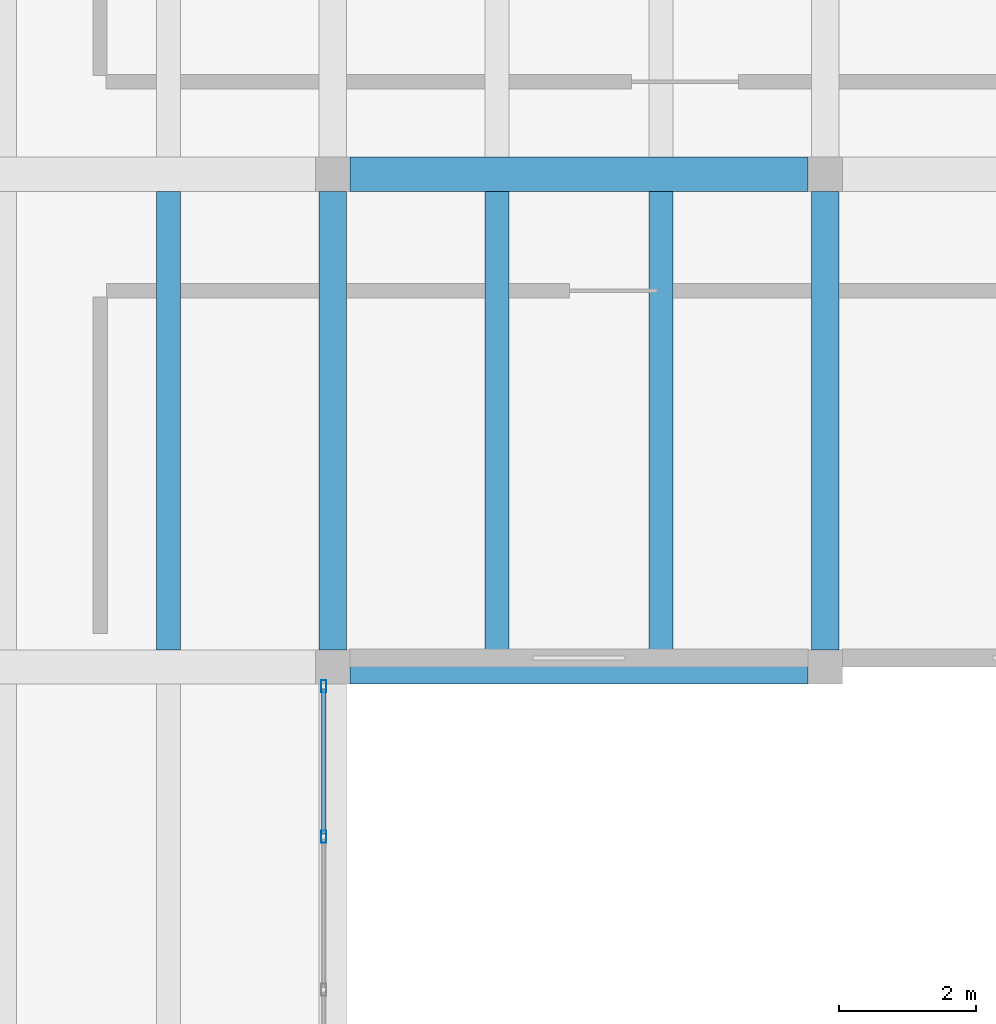
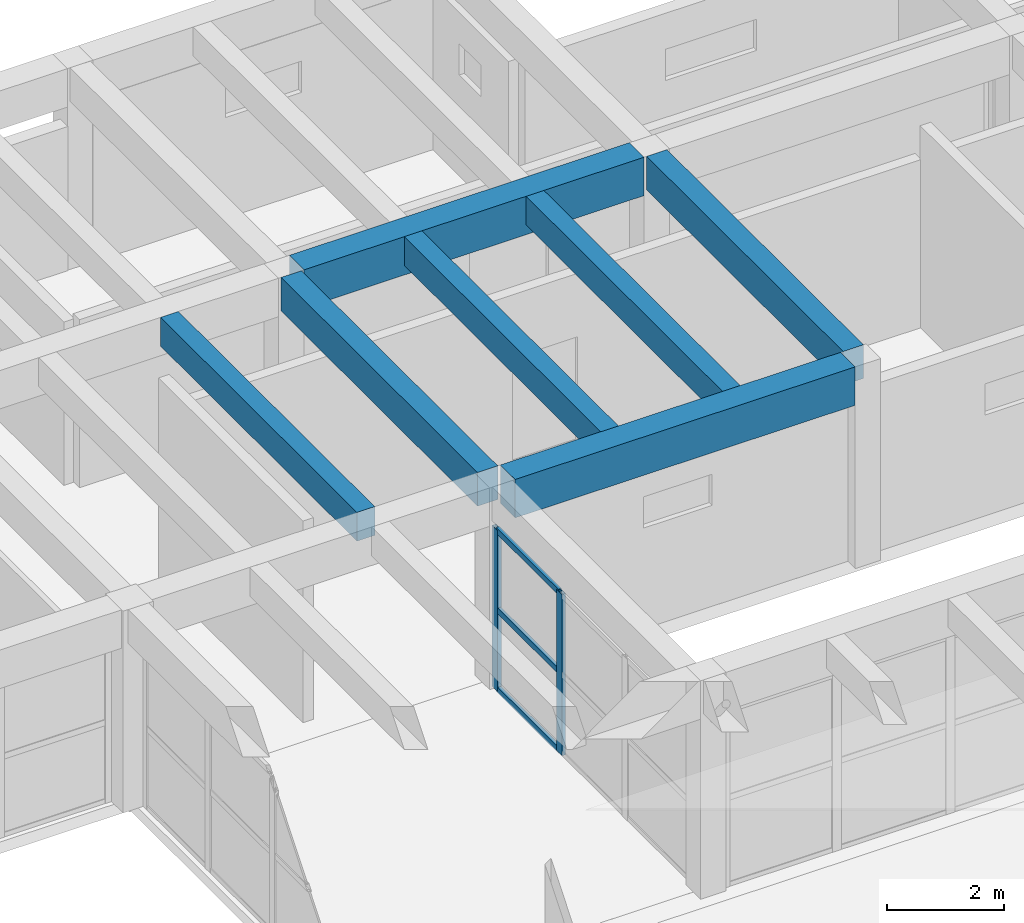
# One storey, part 76 of 153: 7 beams, 5 members, 1 element without a shape of its own.
"""IFC4 building model written with IfcOpenShell, lengths in metres."""

from ifc_helpers import new_model, si_unit, direction, frame, origin, origin_2d, place, context, subcontext, project, spatial, rectangle, hollow_rectangle, extrude, material, material_profile, profile_set, type_object, element, aggregate, save


model = new_model("IFC4")

# Units and contexts
model_context = context("Model", 3, precision=1e-05, world=origin(), true_north=direction((0.0, 1.0)))
body_context = subcontext(model_context, "Body", "Model", "MODEL_VIEW")
ifc_project = project(units=[si_unit("LENGTHUNIT", "METRE"), si_unit("AREAUNIT", "SQUARE_METRE"), si_unit("VOLUMEUNIT", "CUBIC_METRE"), si_unit("PLANEANGLEUNIT", "RADIAN"), si_unit("MASSUNIT", "GRAM", prefix="KILO")], contexts=[model_context])

# Site, building, storey
site_placement = place(None, origin())
site = spatial("IfcSite", under=ifc_project, at=site_placement, CompositionType="ELEMENT")
building_placement = place(site_placement, origin())
building = spatial("IfcBuilding", under=site, at=building_placement, Name="Bramvelor Terrace Health Centre", CompositionType="ELEMENT")
storey_placement = place(building_placement, frame((0.0, 0.0, 4.800048828125)))
storey = spatial("IfcBuildingStorey", under=building, at=storey_placement, Name="L02", CompositionType="ELEMENT", Elevation=4.800048828125)

# Beams
ifc_material_1 = material(Name="Concrete C40/50", Category="concrete")
ifc_material_profile_1 = material_profile(ifc_material_1, rectangle(XDim=0.39990234375, YDim=0.699951171875, at=origin_2d()), Name="RC 400x700")
ifc_profile_set_1 = profile_set([ifc_material_profile_1], Name="Concrete C40/50")
beam_type_1 = type_object("IfcBeamType", Name="BM-RC-G700", PredefinedType="BEAM", material=ifc_profile_set_1)
for number, where, z_axis, x_axis, name in (
    (1, (50.39990234375, 86.64990234375, 3.849853515625), (0.0, 1.0, 0.0), (-1.0, 0.0, 0.0), "L02 Floor Girder"),
    (2, (57.60009765625, 86.64990234375, 3.849853515625), (0.0, 1.0, 0.0), (-1.0, 0.0, 0.0), "L02 Floor Girder"),
):
    element("IfcBeam", number, at=place(storey_placement, frame(where, z_axis=z_axis, x_axis=x_axis)), inside=storey, type_object=beam_type_1, Name=name, PredefinedType="BEAM", context=body_context, shape_type="SweptSolid", body=[
        extrude(rectangle(XDim=0.39990234375, YDim=0.699951171875, at=origin_2d()), origin(), (0.0, 0.0, 1.0), 6.7001953125),
    ])
ifc_material_2 = material(Name="Concrete C40/50", Category="concrete")
ifc_material_profile_2 = material_profile(ifc_material_2, rectangle(XDim=0.5, YDim=0.800048828125, at=origin_2d()), Name="RC 500x800")
ifc_profile_set_2 = profile_set([ifc_material_profile_2], Name="Concrete C40/50")
beam_type_2 = type_object("IfcBeamType", Name="BM-RC-G800", PredefinedType="BEAM", material=ifc_profile_set_2)
for number, where, z_axis, x_axis, name in (
    (3, (50.64990234375, 86.39990234375, 3.800048828125), (1.0, 0.0, 0.0), (0.0, 1.0, 0.0), "L02 Floor Girder"),
    (4, (50.64990234375, 93.60009765625, 3.800048828125), (1.0, 0.0, 0.0), (0.0, 1.0, 0.0), "L02 Floor Girder"),
):
    element("IfcBeam", number, at=place(storey_placement, frame(where, z_axis=z_axis, x_axis=x_axis)), inside=storey, type_object=beam_type_2, Name=name, PredefinedType="BEAM", context=body_context, shape_type="SweptSolid", body=[
        extrude(rectangle(XDim=0.5, YDim=0.800048828125, at=origin_2d()), origin(), (0.0, 0.0, 1.0), 6.7001953125),
    ])
ifc_material_3 = material(Name="Concrete C40/50", Category="concrete")
ifc_material_profile_3 = material_profile(ifc_material_3, rectangle(XDim=0.35009765625, YDim=0.60009765625, at=origin_2d()), Name="RC 350x600")
ifc_profile_set_3 = profile_set([ifc_material_profile_3], Name="Concrete C40/50")
beam_type_3 = type_object("IfcBeamType", Name="BM-RC-J600", PredefinedType="JOIST", material=ifc_profile_set_3)
for number, where, z_axis, x_axis, name in (
    (5, (48.0, 86.64990234375, 3.89990234375), (0.0, 1.0, 0.0), (-1.0, 0.0, 0.0), "L02 Secondary Floor Joist"),
    (6, (52.800048828125, 86.64990234375, 3.89990234375), (0.0, 1.0, 0.0), (-1.0, 0.0, 0.0), "L02 Secondary Floor Joist"),
    (7, (55.199951171875, 86.64990234375, 3.89990234375), (0.0, 1.0, 0.0), (-1.0, 0.0, 0.0), "L02 Secondary Floor Joist"),
):
    element("IfcBeam", number, at=place(storey_placement, frame(where, z_axis=z_axis, x_axis=x_axis)), inside=storey, type_object=beam_type_3, Name=name, PredefinedType="JOIST", context=body_context, shape_type="SweptSolid", body=[
        extrude(rectangle(XDim=0.35009765625, YDim=0.60009765625, at=origin_2d()), origin(), (0.0, 0.0, 1.0), 6.7001953125),
    ])

# Curtain wall, members
ifc_material_4 = material(Name="Anodized aluminium and double low-E glass", Category="aluminium")
curtain_wall_type = type_object("IfcCurtainWallType", Name="CW-SYS-16", PredefinedType="NOTDEFINED", material=ifc_material_4)
curtain_wall_placement = place(storey_placement, origin())
curtain_wall = element("IfcCurtainWall", 8, at=curtain_wall_placement, inside=storey, type_object=curtain_wall_type, Name="L02 Unitized Curtain Wall 90", PredefinedType="NOTDEFINED")
ifc_material_5 = material(Name="Anodized aluminium 6063-T6", Category="aluminium")
ifc_material_profile_4 = material_profile(ifc_material_5, hollow_rectangle(XDim=0.074951171875, YDim=0.179931640625, WallThickness=0.00341796875, at=origin_2d()), Name="ALU-MUL 75x180x3.5")
ifc_profile_set_4 = profile_set([ifc_material_profile_4], Name="Anodized aluminium 6063-T6")
member_type_1 = type_object("IfcMemberType", Name="CW-MUL-65x180", PredefinedType="MULLION", material=ifc_profile_set_4)
member_1_placement = place(storey_placement, frame((50.27001953125, 86.117431640625, 0.0), z_axis=(0.0, 0.0, 1.0), x_axis=(1.0, 0.0, 0.0)))
member_1 = element("IfcMember", 9, at=member_1_placement, type_object=member_type_1, Name="CW-16 mullion 1", PredefinedType="MULLION", context=body_context, shape_type="SweptSolid", body=[
    extrude(hollow_rectangle(XDim=0.074951171875, YDim=0.179931640625, WallThickness=0.00341796875, at=origin_2d()), origin(), (0.0, 0.0, 1.0), 3.35986328125),
])
member_2_placement = place(storey_placement, frame((50.27001953125, 83.918212890625, 0.0), z_axis=(0.0, 0.0, 1.0), x_axis=(1.0, 0.0, 0.0)))
member_2 = element("IfcMember", 10, at=member_2_placement, type_object=member_type_1, Name="CW-16 mullion 2", PredefinedType="MULLION", context=body_context, shape_type="SweptSolid", body=[
    extrude(hollow_rectangle(XDim=0.074951171875, YDim=0.179931640625, WallThickness=0.00341796875, at=origin_2d()), origin(), (0.0, 0.0, 1.0), 3.35986328125),
])
ifc_material_6 = material(Name="Anodized aluminium 6063-T6", Category="aluminium")
ifc_material_profile_5 = material_profile(ifc_material_6, hollow_rectangle(XDim=0.06494140625, YDim=0.1201171875, WallThickness=0.0029296875, at=origin_2d()), Name="ALU-TRN 65x120x3.0")
ifc_profile_set_5 = profile_set([ifc_material_profile_5], Name="Anodized aluminium 6063-T6")
member_type_2 = type_object("IfcMemberType", Name="CW-TRN-65x150", PredefinedType="USERDEFINED", material=ifc_profile_set_5)
member_3_placement = place(storey_placement, frame((50.27001953125, 86.080078125, 0.032470703125), z_axis=(0.0, -1.0, 0.0), x_axis=(1.0, 0.0, 0.0)))
member_3 = element("IfcMember", 11, at=member_3_placement, type_object=member_type_2, Name="CW-16 transom 1.1", ObjectType="TRANSOM", PredefinedType="USERDEFINED", context=body_context, shape_type="SweptSolid", body=[
    extrude(hollow_rectangle(XDim=0.06494140625, YDim=0.1201171875, WallThickness=0.0029296875, at=origin_2d()), origin(), (0.0, 0.0, 1.0), 2.124267578125),
])
member_4_placement = place(storey_placement, frame((50.27001953125, 86.080078125, 1.679931640625), z_axis=(0.0, -1.0, 0.0), x_axis=(1.0, 0.0, 0.0)))
member_4 = element("IfcMember", 12, at=member_4_placement, type_object=member_type_2, Name="CW-16 transom 1.2", ObjectType="TRANSOM", PredefinedType="USERDEFINED", context=body_context, shape_type="SweptSolid", body=[
    extrude(hollow_rectangle(XDim=0.06494140625, YDim=0.1201171875, WallThickness=0.0029296875, at=origin_2d()), origin(), (0.0, 0.0, 1.0), 2.124267578125),
])
member_5_placement = place(storey_placement, frame((50.27001953125, 86.080078125, 3.327392578125), z_axis=(0.0, -1.0, 0.0), x_axis=(1.0, 0.0, 0.0)))
member_5 = element("IfcMember", 13, at=member_5_placement, type_object=member_type_2, Name="CW-16 transom 1.3", ObjectType="TRANSOM", PredefinedType="USERDEFINED", context=body_context, shape_type="SweptSolid", body=[
    extrude(hollow_rectangle(XDim=0.06494140625, YDim=0.1201171875, WallThickness=0.0029296875, at=origin_2d()), origin(), (0.0, 0.0, 1.0), 2.124267578125),
])
aggregate(curtain_wall, [member_1, member_2, member_3, member_4, member_5])

save(model, "model.ifc")
